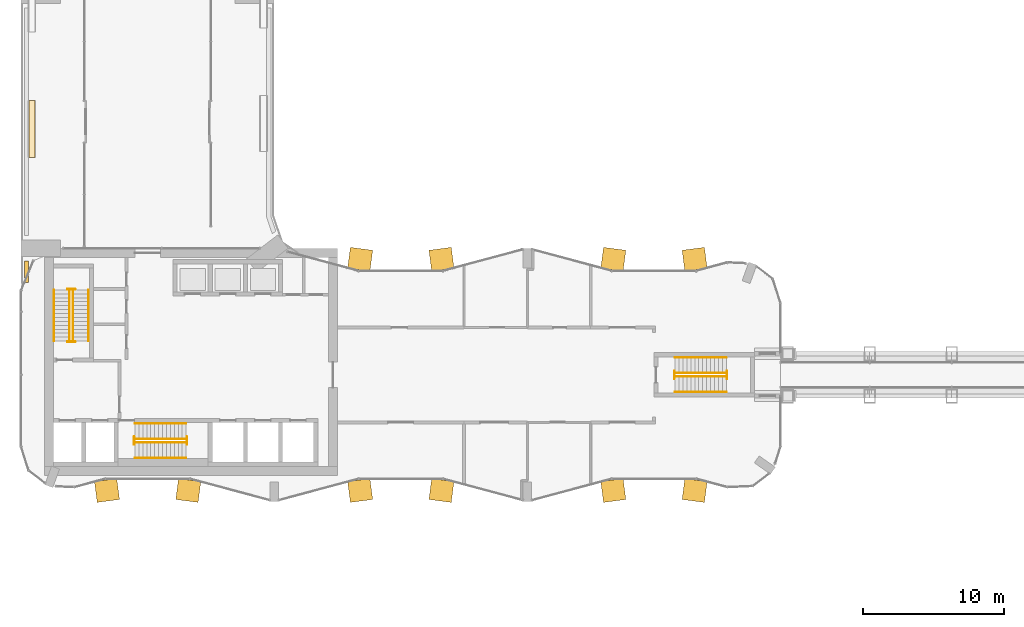
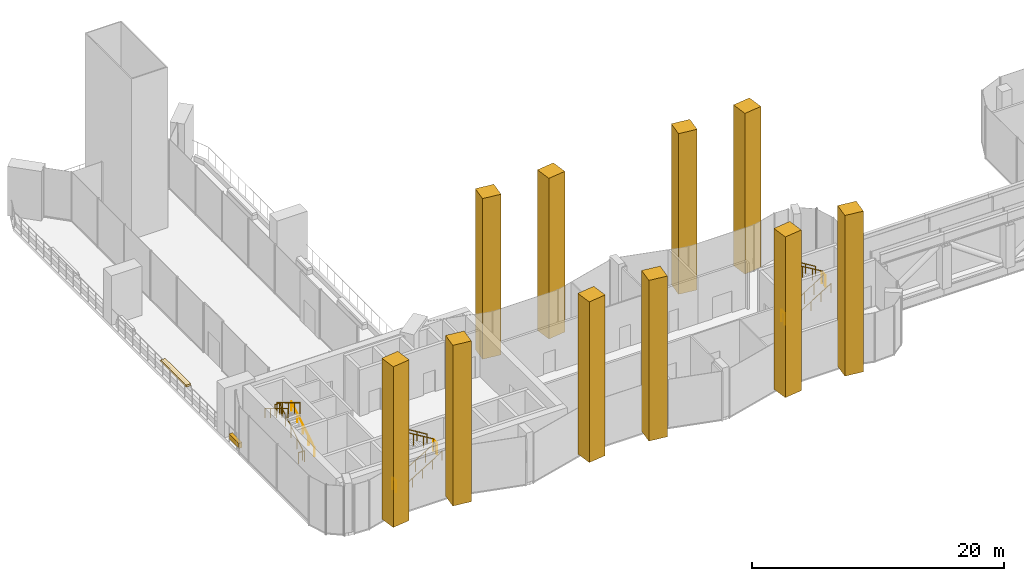
# One storey, part 20 of 23: 18 railings, 12 coverings.
"""IFC4 building model written with IfcOpenShell, lengths in metres."""

import ifcopenshell
import ifcopenshell.guid

model = None  # the IFC model being written
_history = None  # IfcOwnerHistory: only IFC2X3 demands one
_inside = {}  # id of a spatial element -> (the spatial element, [elements in it])
_under = {}  # id of a project, library or spatial element -> (it, [spatial elements below it])
_declared = {}  # id of a project -> (the project, [libraries it declares])
_typed = {}  # id of a type object -> (the type object, [elements of that type])
_made_of = {}  # id of a material, layer set ... -> (it, [elements and type objects made of it])


def new_model(schema):
    """Start an empty IFC model of exactly this schema.

    Asked for "IFC4X3", IfcOpenShell would pick the latest addendum, in which some entities
    have other attributes; the version numbers below select the first issue.
    IFC2X3 requires an IfcOwnerHistory on every rooted entity: one is made here for all.
    """
    global model, _history
    if schema == "IFC4X3":
        model = ifcopenshell.file(schema_version=(4, 3, 0, 0))
    else:
        model = ifcopenshell.file(schema=schema)
    _inside.clear()
    _under.clear()
    _declared.clear()
    _typed.clear()
    _made_of.clear()
    _history = None
    if model.schema == "IFC2X3":
        org = make("IfcOrganization", Name="unknown")
        user = make(
            "IfcPersonAndOrganization",
            ThePerson=make("IfcPerson", FamilyName="unknown"),
            TheOrganization=org,
        )
        app = make(
            "IfcApplication",
            ApplicationDeveloper=org,
            Version="unknown",
            ApplicationFullName="unknown",
            ApplicationIdentifier="unknown",
        )
        _history = make(
            "IfcOwnerHistory",
            OwningUser=user,
            OwningApplication=app,
            ChangeAction="ADDED",
            CreationDate=0,
        )
    return model


def make(cls, **values):
    """One entity of the class cls with the attributes given. An attribute that is None is left unset."""
    return model.create_entity(
        cls, **{name: value for name, value in values.items() if value is not None}
    )


def rooted(cls, **values):
    """An entity with a GlobalId (a new one), such as an element, a storey or a relation."""
    return make(cls, GlobalId=ifcopenshell.guid.new(), OwnerHistory=_history, **values)


def si_unit(unit_type, name, prefix=None):
    """IfcSIUnit, for example si_unit("LENGTHUNIT", "METRE", prefix="MILLI")."""
    return make("IfcSIUnit", UnitType=unit_type, Prefix=prefix, Name=name)


def assignment(units):
    """IfcUnitAssignment: the units of a project."""
    return None if units is None else make("IfcUnitAssignment", Units=units)


def point(xyz):
    """IfcCartesianPoint."""
    return None if xyz is None else make("IfcCartesianPoint", Coordinates=xyz)


def direction(xyz):
    """IfcDirection."""
    return None if xyz is None else make("IfcDirection", DirectionRatios=xyz)


def frame(location, z_axis=None, x_axis=None):
    """IfcAxis2Placement3D, a coordinate frame: its origin and axes. An axis left out is left unset."""
    return make(
        "IfcAxis2Placement3D",
        Location=point(location),
        Axis=direction(z_axis),
        RefDirection=direction(x_axis),
    )


def frame_2d(location, x_axis=None):
    """IfcAxis2Placement2D, a coordinate frame in the plane: its origin and x axis."""
    return make(
        "IfcAxis2Placement2D", Location=point(location), RefDirection=direction(x_axis)
    )


def origin():
    """The frame at (0, 0, 0) with its axes left unset."""
    return frame((0.0, 0.0, 0.0))


def origin_2d():
    """The frame at (0, 0) in the plane with its x axis left unset."""
    return frame_2d((0.0, 0.0))


def place(relative_to, where):
    """IfcLocalPlacement: puts the frame where relative to a parent placement (None: the world)."""
    return make(
        "IfcLocalPlacement", PlacementRelTo=relative_to, RelativePlacement=where
    )


def context(
    kind, dimensions, precision=None, world=None, true_north=None, identifier=None
):
    """IfcGeometricRepresentationContext, for example the 3D "Model" context."""
    return make(
        "IfcGeometricRepresentationContext",
        ContextIdentifier=identifier,
        ContextType=kind,
        CoordinateSpaceDimension=dimensions,
        Precision=precision,
        WorldCoordinateSystem=world,
        TrueNorth=true_north,
    )


def subcontext(parent, identifier, kind, view, scale=None):
    """IfcGeometricRepresentationSubContext, for example "Body" below "Model"."""
    return make(
        "IfcGeometricRepresentationSubContext",
        ContextIdentifier=identifier,
        ContextType=kind,
        ParentContext=parent,
        TargetScale=scale,
        TargetView=view,
    )


def project(units=None, contexts=None):
    """IfcProject with its units and contexts."""
    return rooted(
        "IfcProject",
        Name="project",
        RepresentationContexts=contexts,
        UnitsInContext=assignment(units),
    )


def spatial(cls, under=None, at=None, **own):
    """A site, building, storey or space (cls), placed at a placement, below another one or the project."""
    s = rooted(cls, ObjectPlacement=at, **own)
    if under is not None:
        _under.setdefault(under.id(), (under, []))[1].append(s)
    return s


def polyline(points):
    """IfcPolyline through the points."""
    return make("IfcPolyline", Points=[point(p) for p in points])


def profile(cls, at=None, kind="AREA", **sizes):
    """A parametric profile (cls). Its sizes go by their IFC names, for example OverallWidth=200.0."""
    return make(cls, ProfileType=kind, Position=at, **sizes)


def circle(**sizes):
    """IfcCircleProfileDef."""
    return profile("IfcCircleProfileDef", **sizes)


def outline(outer, holes=None, kind="AREA"):
    """IfcArbitraryClosedProfileDef: a profile drawn as a closed curve; with holes, ...WithVoids."""
    if holes is None:
        return make("IfcArbitraryClosedProfileDef", ProfileType=kind, OuterCurve=outer)
    return make(
        "IfcArbitraryProfileDefWithVoids",
        ProfileType=kind,
        OuterCurve=outer,
        InnerCurves=holes,
    )


def extrude(swept, where, along, depth):
    """IfcExtrudedAreaSolid: the profile swept, set in the frame where, extruded along a direction by depth."""
    return make(
        "IfcExtrudedAreaSolid",
        SweptArea=swept,
        Position=where,
        ExtrudedDirection=direction(along),
        Depth=depth,
    )


def shape(context_of_items, identifier, shape_type, items):
    """IfcShapeRepresentation: the items that make up one representation, for example the "Body"."""
    return make(
        "IfcShapeRepresentation",
        ContextOfItems=context_of_items,
        RepresentationIdentifier=identifier,
        RepresentationType=shape_type,
        Items=items,
    )


def material(Name=None, Category=None):
    """IfcMaterial."""
    return make("IfcMaterial", Name=Name, Category=Category)


def layer(
    of_material, thickness, ventilated=None, Name=None, Category=None, Priority=None
):
    """IfcMaterialLayer: one layer of a wall or slab, of a material (None: an air gap)."""
    return make(
        "IfcMaterialLayer",
        Material=of_material,
        LayerThickness=thickness,
        IsVentilated=ventilated,
        Name=Name,
        Category=Category,
        Priority=Priority,
    )


def layer_set(layers, Name=None):
    """IfcMaterialLayerSet."""
    return make("IfcMaterialLayerSet", MaterialLayers=layers, LayerSetName=Name)


def made_of(thing, what):
    """Note that an element or type object is made of a material, layer set ...; save() writes the relation."""
    if what is not None:
        _made_of.setdefault(what.id(), (what, []))[1].append(thing)
    return thing


def type_object(cls, material=None, **own):
    """A type object (cls), such as IfcWallType, which elements share."""
    return made_of(rooted(cls, **own), material)


def element(
    cls,
    number,
    at=None,
    inside=None,
    cuts=None,
    type_object=None,
    material=None,
    context=None,
    identifier="Body",
    shape_type=None,
    held_by="IfcProductDefinitionShape",
    body=None,
    shapes=None,
    **own,
):
    """One element of the class cls, such as IfcWall. Its Tag is "e" and its number.

    at: its placement. inside: the storey or other place that contains it. cuts: it is an
    opening in that element (IfcRelVoidsElement). A single representation is given by context,
    identifier, shape_type and body (its items); several are given by shapes. held_by: the class
    of the entity that holds the representations. save() writes the other relations.
    """
    e = rooted(cls, Tag="e%d" % number, ObjectPlacement=at, **own)
    if body is not None:
        shapes = [shape(context, identifier, shape_type, body)]
    if shapes is not None:
        e.Representation = make(held_by, Representations=shapes)
    if inside is not None:
        _inside.setdefault(inside.id(), (inside, []))[1].append(e)
    if cuts is not None:
        rooted(
            "IfcRelVoidsElement", RelatingBuildingElement=cuts, RelatedOpeningElement=e
        )
    if type_object is not None:
        _typed.setdefault(type_object.id(), (type_object, []))[1].append(e)
    return made_of(e, material)


def aggregate(whole, parts):
    """IfcRelAggregates: a whole, such as a stair, and the parts it consists of."""
    return rooted("IfcRelAggregates", RelatingObject=whole, RelatedObjects=parts)


def save(model, path):
    """Write the relations noted so far, then the file.

    IfcRelAggregates (storeys below a building ...), IfcRelContainedInSpatialStructure (elements
    in a storey), IfcRelDefinesByType, IfcRelAssociatesMaterial and IfcRelDeclares: one each for
    every whole, place, type object, material and project.
    """
    for whole, parts in _under.values():
        aggregate(whole, parts)
    for where, things in _inside.values():
        rooted(
            "IfcRelContainedInSpatialStructure",
            RelatedElements=things,
            RelatingStructure=where,
        )
    for kind, things in _typed.values():
        rooted("IfcRelDefinesByType", RelatedObjects=things, RelatingType=kind)
    for what, things in _made_of.values():
        rooted("IfcRelAssociatesMaterial", RelatedObjects=things, RelatingMaterial=what)
    for by, libraries in _declared.values():
        rooted("IfcRelDeclares", RelatingContext=by, RelatedDefinitions=libraries)
    model.write(path)


model = new_model("IFC4")

# Units and contexts
model_context = context("Model", 3, precision=1e-05, world=origin(), true_north=direction((0.0, 1.0)))
body_context = subcontext(model_context, "Body", "Model", "MODEL_VIEW")
ifc_project = project(units=[si_unit("LENGTHUNIT", "METRE"), si_unit("AREAUNIT", "SQUARE_METRE"), si_unit("VOLUMEUNIT", "CUBIC_METRE"), si_unit("PLANEANGLEUNIT", "RADIAN"), si_unit("MASSUNIT", "GRAM", prefix="KILO")], contexts=[model_context])

# Site, building, storey
site_placement = place(None, origin())
site = spatial("IfcSite", under=ifc_project, at=site_placement, CompositionType="ELEMENT")
building_placement = place(site_placement, origin())
building = spatial("IfcBuilding", under=site, at=building_placement, Name="Plateau Cross Towers", CompositionType="ELEMENT")
storey_placement = place(building_placement, frame((0.0, 0.0, 123.800048828125)))
storey = spatial("IfcBuildingStorey", under=building, at=storey_placement, Name="L32", CompositionType="ELEMENT", Elevation=123.800048828125)

# Coverings
ifc_material_1 = material(Name="Light precast concrete cladding C40/50", Category="concrete")
covering_type_1 = type_object("IfcCoveringType", Name="Flute pier cladding 1600x1500", PredefinedType="CLADDING", material=ifc_material_1)
covering_1_placement = place(storey_placement, origin())
element("IfcCovering", 1, at=covering_1_placement, inside=storey, type_object=covering_type_1, Name="Flute pier", PredefinedType="CLADDING", context=body_context, shape_type="SweptSolid", body=[
    extrude(outline(polyline([(48.7822265625, 16.580322265625), (47.19580078125, 16.37158203125), (47.000244140625, 17.85888671875), (48.58642578125, 18.067626953125), (48.7822265625, 16.580322265625)])), origin(), (0.0, 0.0, 1.0), 15.599853515625),
])
covering_2_placement = place(storey_placement, origin())
element("IfcCovering", 2, at=covering_2_placement, inside=storey, type_object=covering_type_1, Name="Flute pier", PredefinedType="CLADDING", context=body_context, shape_type="SweptSolid", body=[
    extrude(outline(polyline([(42.80419921875, 16.37158203125), (41.2177734375, 16.580322265625), (41.41357421875, 18.067626953125), (42.999755859375, 17.85888671875), (42.80419921875, 16.37158203125)])), origin(), (0.0, 0.0, 1.0), 15.599853515625),
])
covering_3_placement = place(storey_placement, origin())
element("IfcCovering", 3, at=covering_3_placement, inside=storey, type_object=covering_type_1, Name="Flute pier", PredefinedType="CLADDING", context=body_context, shape_type="SweptSolid", body=[
    extrude(outline(polyline([(30.7822265625, 16.580322265625), (29.19580078125, 16.37158203125), (29.000244140625, 17.85888671875), (30.58642578125, 18.067626953125), (30.7822265625, 16.580322265625)])), origin(), (0.0, 0.0, 1.0), 15.599853515625),
])
covering_4_placement = place(storey_placement, origin())
element("IfcCovering", 4, at=covering_4_placement, inside=storey, type_object=covering_type_1, Name="Flute pier", PredefinedType="CLADDING", context=body_context, shape_type="SweptSolid", body=[
    extrude(outline(polyline([(24.80419921875, 16.37158203125), (23.2177734375, 16.580322265625), (23.41357421875, 18.067626953125), (24.999755859375, 17.85888671875), (24.80419921875, 16.37158203125)])), origin(), (0.0, 0.0, 1.0), 15.599853515625),
])
covering_5_placement = place(storey_placement, origin())
element("IfcCovering", 5, at=covering_5_placement, inside=storey, type_object=covering_type_1, Name="Flute pier", PredefinedType="CLADDING", context=body_context, shape_type="SweptSolid", body=[
    extrude(outline(polyline([(5.2177734375, 1.419677734375), (6.80419921875, 1.62841796875), (6.999755859375, 0.14111328125), (5.41357421875, -0.067626953125), (5.2177734375, 1.419677734375)])), origin(), (0.0, 0.0, 1.0), 15.599853515625),
])
covering_6_placement = place(storey_placement, origin())
element("IfcCovering", 6, at=covering_6_placement, inside=storey, type_object=covering_type_1, Name="Flute pier", PredefinedType="CLADDING", context=body_context, shape_type="SweptSolid", body=[
    extrude(outline(polyline([(11.19580078125, 1.62841796875), (12.7822265625, 1.419677734375), (12.58642578125, -0.067626953125), (11.000244140625, 0.14111328125), (11.19580078125, 1.62841796875)])), origin(), (0.0, 0.0, 1.0), 15.599853515625),
])
covering_7_placement = place(storey_placement, origin())
element("IfcCovering", 7, at=covering_7_placement, inside=storey, type_object=covering_type_1, Name="Flute pier", PredefinedType="CLADDING", context=body_context, shape_type="SweptSolid", body=[
    extrude(outline(polyline([(23.2177734375, 1.419677734375), (24.80419921875, 1.62841796875), (24.999755859375, 0.14111328125), (23.41357421875, -0.067626953125), (23.2177734375, 1.419677734375)])), origin(), (0.0, 0.0, 1.0), 15.599853515625),
])
covering_8_placement = place(storey_placement, origin())
element("IfcCovering", 8, at=covering_8_placement, inside=storey, type_object=covering_type_1, Name="Flute pier", PredefinedType="CLADDING", context=body_context, shape_type="SweptSolid", body=[
    extrude(outline(polyline([(29.19580078125, 1.62841796875), (30.7822265625, 1.419677734375), (30.58642578125, -0.067626953125), (29.000244140625, 0.14111328125), (29.19580078125, 1.62841796875)])), origin(), (0.0, 0.0, 1.0), 15.599853515625),
])
covering_9_placement = place(storey_placement, origin())
element("IfcCovering", 9, at=covering_9_placement, inside=storey, type_object=covering_type_1, Name="Flute pier", PredefinedType="CLADDING", context=body_context, shape_type="SweptSolid", body=[
    extrude(outline(polyline([(41.2177734375, 1.419677734375), (42.80419921875, 1.62841796875), (42.999755859375, 0.14111328125), (41.41357421875, -0.067626953125), (41.2177734375, 1.419677734375)])), origin(), (0.0, 0.0, 1.0), 15.599853515625),
])
covering_10_placement = place(storey_placement, origin())
element("IfcCovering", 10, at=covering_10_placement, inside=storey, type_object=covering_type_1, Name="Flute pier", PredefinedType="CLADDING", context=body_context, shape_type="SweptSolid", body=[
    extrude(outline(polyline([(47.19580078125, 1.62841796875), (48.7822265625, 1.419677734375), (48.58642578125, -0.067626953125), (47.000244140625, 0.14111328125), (47.19580078125, 1.62841796875)])), origin(), (0.0, 0.0, 1.0), 15.599853515625),
])
ifc_material_2 = material(Name="Planting substrate and ground cover")
ifc_layer = layer(ifc_material_2, 0.199951171875)
ifc_layer_set = layer_set([ifc_layer], Name="Planting substrate and ground cover")
covering_type_2 = type_object("IfcCoveringType", Name="Planting bed 200", PredefinedType="FLOORING", material=ifc_layer_set)
covering_11_placement = place(storey_placement, frame((0.0, 0.0, 0.449951171875)))
element("IfcCovering", 11, at=covering_11_placement, inside=storey, type_object=covering_type_2, Name="Planting bed 1", PredefinedType="FLOORING", context=body_context, shape_type="SweptSolid", body=[
    extrude(outline(polyline([(0.55029296875, 28.515380859375), (0.980224609375, 28.515380859375), (0.98046875, 24.46142578125), (0.55029296875, 24.46142578125), (0.55029296875, 28.515380859375)])), origin(), (0.0, 0.0, 1.0), 0.199951171875),
])

# Railings
ifc_material_3 = material(Name="Stainless steel and toughened glass", Category="steel")
railing_type_1 = type_object("IfcRailingType", Name="RL-GUARD-1100", PredefinedType="GUARDRAIL", material=ifc_material_3)
railing_1_placement = place(storey_placement, frame((3.699951171875, 11.39990234375, 0.17138671875)))
element("IfcRailing", 12, at=railing_1_placement, inside=storey, type_object=railing_type_1, Name="L32 ST-1 stair guard 1", PredefinedType="GUARDRAIL", context=body_context, shape_type="SweptSolid", body=[
    extrude(circle(Radius=0.02392578125, at=origin_2d()), frame((0.0, 0.0, 1.076171875), z_axis=(0.0, 0.852865859571, 0.52213008492), x_axis=(-1.0, 0.0, 0.0)), (0.0, 0.0, 1.0), 4.26806640625),
    extrude(circle(Radius=0.02099609375, at=origin_2d()), origin(), (0.0, 0.0, 1.0), 1.052001953125),
    extrude(circle(Radius=0.02099609375, at=origin_2d()), frame((0.0, 0.91015625, 0.55712890625)), (0.0, 0.0, 1.0), 1.052001953125),
    extrude(circle(Radius=0.02099609375, at=origin_2d()), frame((0.0, 1.820068359375, 1.1142578125)), (0.0, 0.0, 1.0), 1.052001953125),
    extrude(circle(Radius=0.02099609375, at=origin_2d()), frame((0.0, 2.72998046875, 1.67138671875)), (0.0, 0.0, 1.0), 1.052001953125),
    extrude(circle(Radius=0.02099609375, at=origin_2d()), frame((0.0, 3.64013671875, 2.228515625)), (0.0, 0.0, 1.0), 1.052001953125),
])
railing_2_placement = place(storey_placement, frame((3.85009765625, 15.090087890625, 2.39990234375)))
element("IfcRailing", 13, at=railing_2_placement, inside=storey, type_object=railing_type_1, Name="L32 ST-1 stair guard 2", PredefinedType="GUARDRAIL", context=body_context, shape_type="SweptSolid", body=[
    extrude(circle(Radius=0.02392578125, at=origin_2d()), frame((0.0, 0.0, 1.076171875), z_axis=(-1.0, 0.0, 0.0), x_axis=(0.0, -1.0, 0.0)), (0.0, 0.0, 1.0), 0.550048828125),
    extrude(circle(Radius=0.02099609375, at=origin_2d()), origin(), (0.0, 0.0, 1.0), 1.052001953125),
    extrude(circle(Radius=0.02099609375, at=origin_2d()), frame((-0.550048828125, 0.0, 0.0)), (0.0, 0.0, 1.0), 1.052001953125),
])
railing_3_placement = place(storey_placement, frame((3.449951171875, 15.0400390625, 2.5712890625)))
element("IfcRailing", 14, at=railing_3_placement, inside=storey, type_object=railing_type_1, Name="L32 ST-1 stair guard 3", PredefinedType="GUARDRAIL", context=body_context, shape_type="SweptSolid", body=[
    extrude(circle(Radius=0.02392578125, at=origin_2d()), frame((0.0, 0.0, 1.076171875), z_axis=(0.0, -0.855975070114, 0.517017097729), x_axis=(1.0, 0.0, 0.0)), (0.0, 0.0, 1.0), 4.310791015625),
    extrude(circle(Radius=0.02099609375, at=origin_2d()), origin(), (0.0, 0.0, 1.0), 1.052001953125),
    extrude(circle(Radius=0.02099609375, at=origin_2d()), frame((0.0, -0.92236328125, 0.55712890625)), (0.0, 0.0, 1.0), 1.052001953125),
    extrude(circle(Radius=0.02099609375, at=origin_2d()), frame((0.0, -1.844970703125, 1.1142578125)), (0.0, 0.0, 1.0), 1.052001953125),
    extrude(circle(Radius=0.02099609375, at=origin_2d()), frame((0.0, -2.767578125, 1.671630859375)), (0.0, 0.0, 1.0), 1.052001953125),
    extrude(circle(Radius=0.02099609375, at=origin_2d()), frame((0.0, -3.68994140625, 2.228759765625)), (0.0, 0.0, 1.0), 1.052001953125),
])
railing_4_placement = place(storey_placement, frame((3.85009765625, 11.35009765625, 0.0)))
element("IfcRailing", 15, at=railing_4_placement, inside=storey, type_object=railing_type_1, Name="L32 ST-1 stair guard 4", PredefinedType="GUARDRAIL", context=body_context, shape_type="SweptSolid", body=[
    extrude(circle(Radius=0.02392578125, at=origin_2d()), frame((0.0, 0.0, 1.076171875), z_axis=(-1.0, 0.0, 0.0), x_axis=(0.0, -1.0, 0.0)), (0.0, 0.0, 1.0), 0.550048828125),
    extrude(circle(Radius=0.02099609375, at=origin_2d()), origin(), (0.0, 0.0, 1.0), 1.052001953125),
    extrude(circle(Radius=0.02099609375, at=origin_2d()), frame((-0.550048828125, 0.0, 0.0)), (0.0, 0.0, 1.0), 1.052001953125),
])
railing_5_placement = place(storey_placement, frame((8.10009765625, 4.199951171875, 0.17138671875)))
element("IfcRailing", 16, at=railing_5_placement, inside=storey, type_object=railing_type_1, Name="L32 ST-2 stair guard 1", PredefinedType="GUARDRAIL", context=body_context, shape_type="SweptSolid", body=[
    extrude(circle(Radius=0.02392578125, at=origin_2d()), frame((0.0, 0.0, 1.076171875), z_axis=(0.852850264322, 0.0, 0.5221555579), x_axis=(0.0, 1.0, 0.0)), (0.0, 0.0, 1.0), 4.267822265625),
    extrude(circle(Radius=0.02099609375, at=origin_2d()), origin(), (0.0, 0.0, 1.0), 1.052001953125),
    extrude(circle(Radius=0.02099609375, at=origin_2d()), frame((0.909912109375, 0.0, 0.55712890625)), (0.0, 0.0, 1.0), 1.052001953125),
    extrude(circle(Radius=0.02099609375, at=origin_2d()), frame((1.81982421875, 0.0, 1.1142578125)), (0.0, 0.0, 1.0), 1.052001953125),
    extrude(circle(Radius=0.02099609375, at=origin_2d()), frame((2.72998046875, 0.0, 1.67138671875)), (0.0, 0.0, 1.0), 1.052001953125),
    extrude(circle(Radius=0.02099609375, at=origin_2d()), frame((3.639892578125, 0.0, 2.228515625)), (0.0, 0.0, 1.0), 1.052001953125),
])
railing_6_placement = place(storey_placement, frame((11.7900390625, 4.050048828125, 2.39990234375)))
element("IfcRailing", 17, at=railing_6_placement, inside=storey, type_object=railing_type_1, Name="L32 ST-2 stair guard 2", PredefinedType="GUARDRAIL", context=body_context, shape_type="SweptSolid", body=[
    extrude(circle(Radius=0.02392578125, at=origin_2d()), frame((0.0, 0.0, 1.076171875), z_axis=(0.0, 1.0, 0.0), x_axis=(-1.0, 0.0, 0.0)), (0.0, 0.0, 1.0), 0.550048828125),
    extrude(circle(Radius=0.02099609375, at=origin_2d()), origin(), (0.0, 0.0, 1.0), 1.052001953125),
    extrude(circle(Radius=0.02099609375, at=origin_2d()), frame((0.0, 0.550048828125, 0.0)), (0.0, 0.0, 1.0), 1.052001953125),
])
railing_7_placement = place(storey_placement, frame((11.739990234375, 4.449951171875, 2.5712890625)))
element("IfcRailing", 18, at=railing_7_placement, inside=storey, type_object=railing_type_1, Name="L32 ST-2 stair guard 3", PredefinedType="GUARDRAIL", context=body_context, shape_type="SweptSolid", body=[
    extrude(circle(Radius=0.02392578125, at=origin_2d()), frame((0.0, 0.0, 1.076171875), z_axis=(-0.855975070114, 0.0, 0.517017097729), x_axis=(0.0, -1.0, 0.0)), (0.0, 0.0, 1.0), 4.310791015625),
    extrude(circle(Radius=0.02099609375, at=origin_2d()), origin(), (0.0, 0.0, 1.0), 1.052001953125),
    extrude(circle(Radius=0.02099609375, at=origin_2d()), frame((-0.92236328125, 0.0, 0.55712890625)), (0.0, 0.0, 1.0), 1.052001953125),
    extrude(circle(Radius=0.02099609375, at=origin_2d()), frame((-1.844970703125, 0.0, 1.1142578125)), (0.0, 0.0, 1.0), 1.052001953125),
    extrude(circle(Radius=0.02099609375, at=origin_2d()), frame((-2.767578125, 0.0, 1.671630859375)), (0.0, 0.0, 1.0), 1.052001953125),
    extrude(circle(Radius=0.02099609375, at=origin_2d()), frame((-3.68994140625, 0.0, 2.228759765625)), (0.0, 0.0, 1.0), 1.052001953125),
])
railing_8_placement = place(storey_placement, frame((8.050048828125, 4.050048828125, 0.0)))
element("IfcRailing", 19, at=railing_8_placement, inside=storey, type_object=railing_type_1, Name="L32 ST-2 stair guard 4", PredefinedType="GUARDRAIL", context=body_context, shape_type="SweptSolid", body=[
    extrude(circle(Radius=0.02392578125, at=origin_2d()), frame((0.0, 0.0, 1.076171875), z_axis=(0.0, 1.0, 0.0), x_axis=(-1.0, 0.0, 0.0)), (0.0, 0.0, 1.0), 0.550048828125),
    extrude(circle(Radius=0.02099609375, at=origin_2d()), origin(), (0.0, 0.0, 1.0), 1.052001953125),
    extrude(circle(Radius=0.02099609375, at=origin_2d()), frame((0.0, 0.550048828125, 0.0)), (0.0, 0.0, 1.0), 1.052001953125),
])
railing_9_placement = place(storey_placement, frame((46.5, 8.875, 0.17138671875)))
element("IfcRailing", 20, at=railing_9_placement, inside=storey, type_object=railing_type_1, Name="L32 ES-E stair guard 1", PredefinedType="GUARDRAIL", context=body_context, shape_type="SweptSolid", body=[
    extrude(circle(Radius=0.02392578125, at=origin_2d()), frame((0.0, 0.0, 1.076171875), z_axis=(0.852850264322, 0.0, 0.5221555579), x_axis=(0.0, 1.0, 0.0)), (0.0, 0.0, 1.0), 4.267822265625),
    extrude(circle(Radius=0.02099609375, at=origin_2d()), origin(), (0.0, 0.0, 1.0), 1.052001953125),
    extrude(circle(Radius=0.02099609375, at=origin_2d()), frame((0.909912109375, 0.0, 0.55712890625)), (0.0, 0.0, 1.0), 1.052001953125),
    extrude(circle(Radius=0.02099609375, at=origin_2d()), frame((1.81982421875, 0.0, 1.1142578125)), (0.0, 0.0, 1.0), 1.052001953125),
    extrude(circle(Radius=0.02099609375, at=origin_2d()), frame((2.72998046875, 0.0, 1.67138671875)), (0.0, 0.0, 1.0), 1.052001953125),
    extrude(circle(Radius=0.02099609375, at=origin_2d()), frame((3.639892578125, 0.0, 2.228515625)), (0.0, 0.0, 1.0), 1.052001953125),
])
railing_10_placement = place(storey_placement, frame((50.18994140625, 8.72509765625, 2.39990234375)))
element("IfcRailing", 21, at=railing_10_placement, inside=storey, type_object=railing_type_1, Name="L32 ES-E stair guard 2", PredefinedType="GUARDRAIL", context=body_context, shape_type="SweptSolid", body=[
    extrude(circle(Radius=0.02392578125, at=origin_2d()), frame((0.0, 0.0, 1.076171875), z_axis=(0.0, 1.0, 0.0), x_axis=(-1.0, 0.0, 0.0)), (0.0, 0.0, 1.0), 0.5498046875),
    extrude(circle(Radius=0.02099609375, at=origin_2d()), origin(), (0.0, 0.0, 1.0), 1.052001953125),
    extrude(circle(Radius=0.02099609375, at=origin_2d()), frame((0.0, 0.5498046875, 0.0)), (0.0, 0.0, 1.0), 1.052001953125),
])
railing_11_placement = place(storey_placement, frame((50.139892578125, 9.125, 2.5712890625)))
element("IfcRailing", 22, at=railing_11_placement, inside=storey, type_object=railing_type_1, Name="L32 ES-E stair guard 3", PredefinedType="GUARDRAIL", context=body_context, shape_type="SweptSolid", body=[
    extrude(circle(Radius=0.02392578125, at=origin_2d()), frame((0.0, 0.0, 1.076171875), z_axis=(-0.855975070114, 0.0, 0.517017097729), x_axis=(0.0, -1.0, 0.0)), (0.0, 0.0, 1.0), 4.310791015625),
    extrude(circle(Radius=0.02099609375, at=origin_2d()), origin(), (0.0, 0.0, 1.0), 1.052001953125),
    extrude(circle(Radius=0.02099609375, at=origin_2d()), frame((-0.92236328125, 0.0, 0.55712890625)), (0.0, 0.0, 1.0), 1.052001953125),
    extrude(circle(Radius=0.02099609375, at=origin_2d()), frame((-1.844970703125, 0.0, 1.1142578125)), (0.0, 0.0, 1.0), 1.052001953125),
    extrude(circle(Radius=0.02099609375, at=origin_2d()), frame((-2.767578125, 0.0, 1.671630859375)), (0.0, 0.0, 1.0), 1.052001953125),
    extrude(circle(Radius=0.02099609375, at=origin_2d()), frame((-3.68994140625, 0.0, 2.228759765625)), (0.0, 0.0, 1.0), 1.052001953125),
])
railing_12_placement = place(storey_placement, frame((46.449951171875, 8.72509765625, 0.0)))
element("IfcRailing", 23, at=railing_12_placement, inside=storey, type_object=railing_type_1, Name="L32 ES-E stair guard 4", PredefinedType="GUARDRAIL", context=body_context, shape_type="SweptSolid", body=[
    extrude(circle(Radius=0.02392578125, at=origin_2d()), frame((0.0, 0.0, 1.076171875), z_axis=(0.0, 1.0, 0.0), x_axis=(-1.0, 0.0, 0.0)), (0.0, 0.0, 1.0), 0.5498046875),
    extrude(circle(Radius=0.02099609375, at=origin_2d()), origin(), (0.0, 0.0, 1.0), 1.052001953125),
    extrude(circle(Radius=0.02099609375, at=origin_2d()), frame((0.0, 0.5498046875, 0.0)), (0.0, 0.0, 1.0), 1.052001953125),
])
ifc_material_4 = material(Name="Black anodised aluminium", Category="aluminium")
railing_type_2 = type_object("IfcRailingType", Name="RL-HANDRAIL-900", PredefinedType="HANDRAIL", material=ifc_material_4)
railing_13_placement = place(storey_placement, frame((4.800048828125, 11.39990234375, 0.17138671875)))
element("IfcRailing", 24, at=railing_13_placement, inside=storey, type_object=railing_type_2, Name="L32 ST-1 stair handrail 1", PredefinedType="HANDRAIL", context=body_context, shape_type="SweptSolid", body=[
    extrude(circle(Radius=0.02392578125, at=origin_2d()), frame((0.0, 0.0, 0.8759765625), z_axis=(0.0, 0.852865859571, 0.52213008492), x_axis=(-1.0, 0.0, 0.0)), (0.0, 0.0, 1.0), 4.26806640625),
    extrude(circle(Radius=0.02099609375, at=origin_2d()), origin(), (0.0, 0.0, 1.0), 0.851806640625),
    extrude(circle(Radius=0.02099609375, at=origin_2d()), frame((0.0, 0.91015625, 0.55712890625)), (0.0, 0.0, 1.0), 0.851806640625),
    extrude(circle(Radius=0.02099609375, at=origin_2d()), frame((0.0, 1.820068359375, 1.1142578125)), (0.0, 0.0, 1.0), 0.851806640625),
    extrude(circle(Radius=0.02099609375, at=origin_2d()), frame((0.0, 2.72998046875, 1.67138671875)), (0.0, 0.0, 1.0), 0.851806640625),
    extrude(circle(Radius=0.02099609375, at=origin_2d()), frame((0.0, 3.64013671875, 2.228515625)), (0.0, 0.0, 1.0), 0.851806640625),
])
railing_14_placement = place(storey_placement, frame((2.35009765625, 15.0400390625, 2.5712890625)))
element("IfcRailing", 25, at=railing_14_placement, inside=storey, type_object=railing_type_2, Name="L32 ST-1 stair handrail 2", PredefinedType="HANDRAIL", context=body_context, shape_type="SweptSolid", body=[
    extrude(circle(Radius=0.02392578125, at=origin_2d()), frame((0.0, 0.0, 0.8759765625), z_axis=(0.0, -0.852840387347, 0.522171689878), x_axis=(1.0, 0.0, 0.0)), (0.0, 0.0, 1.0), 4.268310546875),
    extrude(circle(Radius=0.02099609375, at=origin_2d()), origin(), (0.0, 0.0, 1.0), 0.851806640625),
    extrude(circle(Radius=0.02099609375, at=origin_2d()), frame((0.0, -0.91015625, 0.55712890625)), (0.0, 0.0, 1.0), 0.851806640625),
    extrude(circle(Radius=0.02099609375, at=origin_2d()), frame((0.0, -1.820068359375, 1.1142578125)), (0.0, 0.0, 1.0), 0.851806640625),
    extrude(circle(Radius=0.02099609375, at=origin_2d()), frame((0.0, -2.72998046875, 1.671630859375)), (0.0, 0.0, 1.0), 0.851806640625),
    extrude(circle(Radius=0.02099609375, at=origin_2d()), frame((0.0, -3.64013671875, 2.228759765625)), (0.0, 0.0, 1.0), 0.851806640625),
])
railing_15_placement = place(storey_placement, frame((8.10009765625, 3.10009765625, 0.17138671875)))
element("IfcRailing", 26, at=railing_15_placement, inside=storey, type_object=railing_type_2, Name="L32 ST-2 stair handrail 1", PredefinedType="HANDRAIL", context=body_context, shape_type="SweptSolid", body=[
    extrude(circle(Radius=0.02392578125, at=origin_2d()), frame((0.0, 0.0, 0.8759765625), z_axis=(0.852850264322, 0.0, 0.5221555579), x_axis=(0.0, 1.0, 0.0)), (0.0, 0.0, 1.0), 4.267822265625),
    extrude(circle(Radius=0.02099609375, at=origin_2d()), origin(), (0.0, 0.0, 1.0), 0.851806640625),
    extrude(circle(Radius=0.02099609375, at=origin_2d()), frame((0.909912109375, 0.0, 0.55712890625)), (0.0, 0.0, 1.0), 0.851806640625),
    extrude(circle(Radius=0.02099609375, at=origin_2d()), frame((1.81982421875, 0.0, 1.1142578125)), (0.0, 0.0, 1.0), 0.851806640625),
    extrude(circle(Radius=0.02099609375, at=origin_2d()), frame((2.72998046875, 0.0, 1.67138671875)), (0.0, 0.0, 1.0), 0.851806640625),
    extrude(circle(Radius=0.02099609375, at=origin_2d()), frame((3.639892578125, 0.0, 2.228515625)), (0.0, 0.0, 1.0), 0.851806640625),
])
railing_16_placement = place(storey_placement, frame((11.739990234375, 5.550048828125, 2.5712890625)))
element("IfcRailing", 27, at=railing_16_placement, inside=storey, type_object=railing_type_2, Name="L32 ST-2 stair handrail 2", PredefinedType="HANDRAIL", context=body_context, shape_type="SweptSolid", body=[
    extrude(circle(Radius=0.02392578125, at=origin_2d()), frame((0.0, 0.0, 0.8759765625), z_axis=(-0.852824790078, 0.0, 0.522197163366), x_axis=(0.0, -1.0, 0.0)), (0.0, 0.0, 1.0), 4.26806640625),
    extrude(circle(Radius=0.02099609375, at=origin_2d()), origin(), (0.0, 0.0, 1.0), 0.851806640625),
    extrude(circle(Radius=0.02099609375, at=origin_2d()), frame((-0.909912109375, 0.0, 0.55712890625)), (0.0, 0.0, 1.0), 0.851806640625),
    extrude(circle(Radius=0.02099609375, at=origin_2d()), frame((-1.81982421875, 0.0, 1.1142578125)), (0.0, 0.0, 1.0), 0.851806640625),
    extrude(circle(Radius=0.02099609375, at=origin_2d()), frame((-2.72998046875, 0.0, 1.671630859375)), (0.0, 0.0, 1.0), 0.851806640625),
    extrude(circle(Radius=0.02099609375, at=origin_2d()), frame((-3.639892578125, 0.0, 2.228759765625)), (0.0, 0.0, 1.0), 0.851806640625),
])
railing_17_placement = place(storey_placement, frame((46.5, 7.77490234375, 0.17138671875)))
element("IfcRailing", 28, at=railing_17_placement, inside=storey, type_object=railing_type_2, Name="L32 ES-E stair handrail 1", PredefinedType="HANDRAIL", context=body_context, shape_type="SweptSolid", body=[
    extrude(circle(Radius=0.02392578125, at=origin_2d()), frame((0.0, 0.0, 0.8759765625), z_axis=(0.852850264322, 0.0, 0.5221555579), x_axis=(0.0, 1.0, 0.0)), (0.0, 0.0, 1.0), 4.267822265625),
    extrude(circle(Radius=0.02099609375, at=origin_2d()), origin(), (0.0, 0.0, 1.0), 0.851806640625),
    extrude(circle(Radius=0.02099609375, at=origin_2d()), frame((0.909912109375, 0.0, 0.55712890625)), (0.0, 0.0, 1.0), 0.851806640625),
    extrude(circle(Radius=0.02099609375, at=origin_2d()), frame((1.81982421875, 0.0, 1.1142578125)), (0.0, 0.0, 1.0), 0.851806640625),
    extrude(circle(Radius=0.02099609375, at=origin_2d()), frame((2.72998046875, 0.0, 1.67138671875)), (0.0, 0.0, 1.0), 0.851806640625),
    extrude(circle(Radius=0.02099609375, at=origin_2d()), frame((3.639892578125, 0.0, 2.228515625)), (0.0, 0.0, 1.0), 0.851806640625),
])
railing_18_placement = place(storey_placement, frame((50.139892578125, 10.22509765625, 2.5712890625)))
element("IfcRailing", 29, at=railing_18_placement, inside=storey, type_object=railing_type_2, Name="L32 ES-E stair handrail 2", PredefinedType="HANDRAIL", context=body_context, shape_type="SweptSolid", body=[
    extrude(circle(Radius=0.02392578125, at=origin_2d()), frame((0.0, 0.0, 0.8759765625), z_axis=(-0.852824790078, 0.0, 0.522197163366), x_axis=(0.0, -1.0, 0.0)), (0.0, 0.0, 1.0), 4.26806640625),
    extrude(circle(Radius=0.02099609375, at=origin_2d()), origin(), (0.0, 0.0, 1.0), 0.851806640625),
    extrude(circle(Radius=0.02099609375, at=origin_2d()), frame((-0.909912109375, 0.0, 0.55712890625)), (0.0, 0.0, 1.0), 0.851806640625),
    extrude(circle(Radius=0.02099609375, at=origin_2d()), frame((-1.81982421875, 0.0, 1.1142578125)), (0.0, 0.0, 1.0), 0.851806640625),
    extrude(circle(Radius=0.02099609375, at=origin_2d()), frame((-2.72998046875, 0.0, 1.671630859375)), (0.0, 0.0, 1.0), 0.851806640625),
    extrude(circle(Radius=0.02099609375, at=origin_2d()), frame((-3.639892578125, 0.0, 2.228759765625)), (0.0, 0.0, 1.0), 0.851806640625),
])

# Covering
covering_type_3 = type_object("IfcCoveringType", Name="Sill kerb cladding 300x500", PredefinedType="CLADDING", material=ifc_material_1)
covering_12_placement = place(storey_placement, origin())
element("IfcCovering", 30, at=covering_12_placement, inside=storey, type_object=covering_type_3, Name="Sill kerb 6", PredefinedType="CLADDING", context=body_context, shape_type="SweptSolid", body=[
    extrude(outline(polyline([(0.54052734375, 15.552978515625), (0.240478515625, 15.552978515625), (0.240478515625, 17.10009765625), (0.54052734375, 17.10009765625), (0.54052734375, 15.552978515625)])), origin(), (0.0, 0.0, 1.0), 0.5),
])

save(model, "model.ifc")
